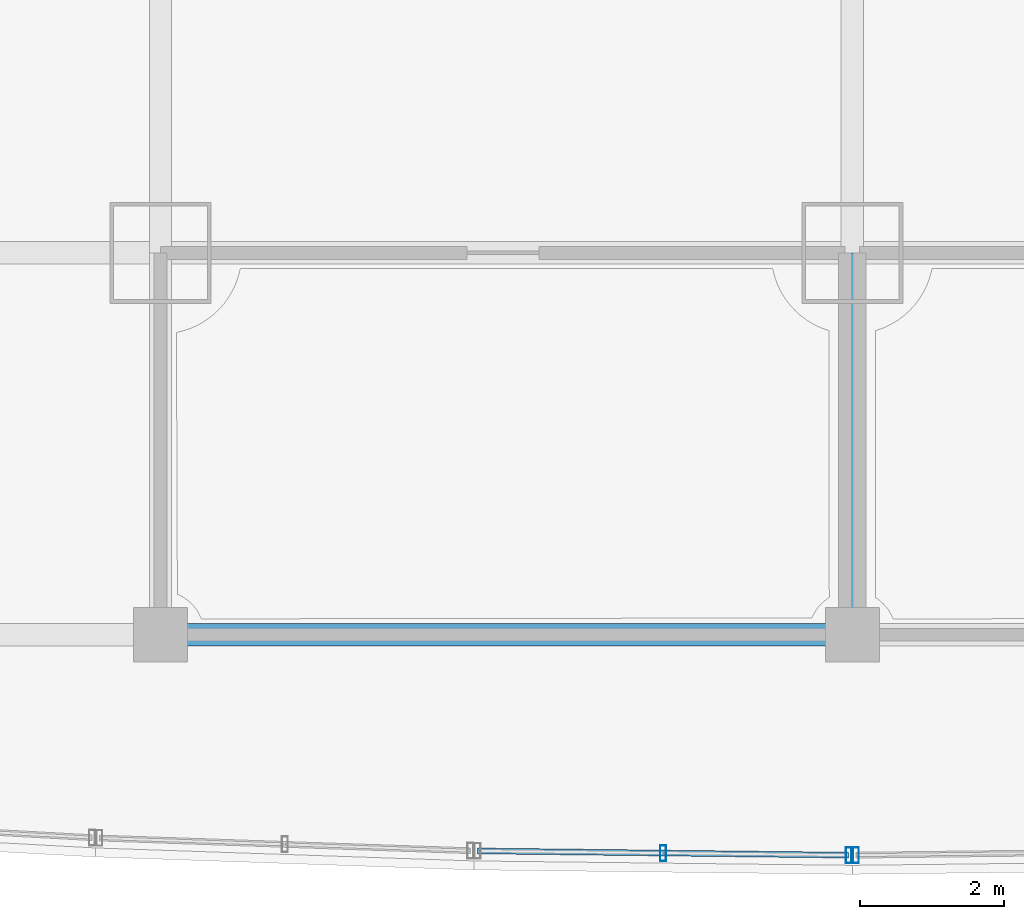
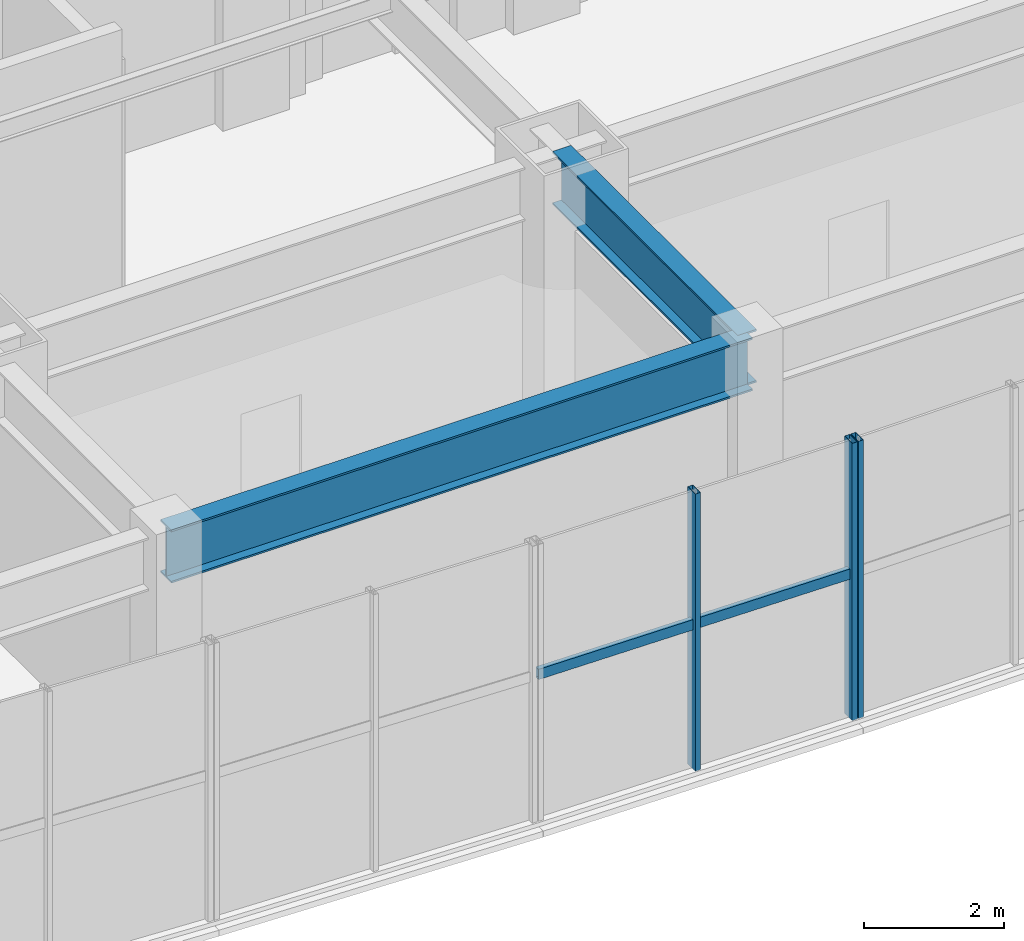
# One storey, part 5 of 24: 4 members, 2 beams, 2 elements without a shape of their own.
"""IFC4 building model written with IfcOpenShell, lengths in metres."""

import ifcopenshell
import ifcopenshell.guid

model = None  # the IFC model being written
_history = None  # IfcOwnerHistory: only IFC2X3 demands one
_inside = {}  # id of a spatial element -> (the spatial element, [elements in it])
_under = {}  # id of a project, library or spatial element -> (it, [spatial elements below it])
_declared = {}  # id of a project -> (the project, [libraries it declares])
_typed = {}  # id of a type object -> (the type object, [elements of that type])
_made_of = {}  # id of a material, layer set ... -> (it, [elements and type objects made of it])


def new_model(schema):
    """Start an empty IFC model of exactly this schema.

    Asked for "IFC4X3", IfcOpenShell would pick the latest addendum, in which some entities
    have other attributes; the version numbers below select the first issue.
    IFC2X3 requires an IfcOwnerHistory on every rooted entity: one is made here for all.
    """
    global model, _history
    if schema == "IFC4X3":
        model = ifcopenshell.file(schema_version=(4, 3, 0, 0))
    else:
        model = ifcopenshell.file(schema=schema)
    _inside.clear()
    _under.clear()
    _declared.clear()
    _typed.clear()
    _made_of.clear()
    _history = None
    if model.schema == "IFC2X3":
        org = make("IfcOrganization", Name="unknown")
        user = make(
            "IfcPersonAndOrganization",
            ThePerson=make("IfcPerson", FamilyName="unknown"),
            TheOrganization=org,
        )
        app = make(
            "IfcApplication",
            ApplicationDeveloper=org,
            Version="unknown",
            ApplicationFullName="unknown",
            ApplicationIdentifier="unknown",
        )
        _history = make(
            "IfcOwnerHistory",
            OwningUser=user,
            OwningApplication=app,
            ChangeAction="ADDED",
            CreationDate=0,
        )
    return model


def make(cls, **values):
    """One entity of the class cls with the attributes given. An attribute that is None is left unset."""
    return model.create_entity(
        cls, **{name: value for name, value in values.items() if value is not None}
    )


def rooted(cls, **values):
    """An entity with a GlobalId (a new one), such as an element, a storey or a relation."""
    return make(cls, GlobalId=ifcopenshell.guid.new(), OwnerHistory=_history, **values)


def si_unit(unit_type, name, prefix=None):
    """IfcSIUnit, for example si_unit("LENGTHUNIT", "METRE", prefix="MILLI")."""
    return make("IfcSIUnit", UnitType=unit_type, Prefix=prefix, Name=name)


def assignment(units):
    """IfcUnitAssignment: the units of a project."""
    return None if units is None else make("IfcUnitAssignment", Units=units)


def point(xyz):
    """IfcCartesianPoint."""
    return None if xyz is None else make("IfcCartesianPoint", Coordinates=xyz)


def direction(xyz):
    """IfcDirection."""
    return None if xyz is None else make("IfcDirection", DirectionRatios=xyz)


def frame(location, z_axis=None, x_axis=None):
    """IfcAxis2Placement3D, a coordinate frame: its origin and axes. An axis left out is left unset."""
    return make(
        "IfcAxis2Placement3D",
        Location=point(location),
        Axis=direction(z_axis),
        RefDirection=direction(x_axis),
    )


def frame_2d(location, x_axis=None):
    """IfcAxis2Placement2D, a coordinate frame in the plane: its origin and x axis."""
    return make(
        "IfcAxis2Placement2D", Location=point(location), RefDirection=direction(x_axis)
    )


def origin():
    """The frame at (0, 0, 0) with its axes left unset."""
    return frame((0.0, 0.0, 0.0))


def origin_2d():
    """The frame at (0, 0) in the plane with its x axis left unset."""
    return frame_2d((0.0, 0.0))


def place(relative_to, where):
    """IfcLocalPlacement: puts the frame where relative to a parent placement (None: the world)."""
    return make(
        "IfcLocalPlacement", PlacementRelTo=relative_to, RelativePlacement=where
    )


def context(
    kind, dimensions, precision=None, world=None, true_north=None, identifier=None
):
    """IfcGeometricRepresentationContext, for example the 3D "Model" context."""
    return make(
        "IfcGeometricRepresentationContext",
        ContextIdentifier=identifier,
        ContextType=kind,
        CoordinateSpaceDimension=dimensions,
        Precision=precision,
        WorldCoordinateSystem=world,
        TrueNorth=true_north,
    )


def subcontext(parent, identifier, kind, view, scale=None):
    """IfcGeometricRepresentationSubContext, for example "Body" below "Model"."""
    return make(
        "IfcGeometricRepresentationSubContext",
        ContextIdentifier=identifier,
        ContextType=kind,
        ParentContext=parent,
        TargetScale=scale,
        TargetView=view,
    )


def project(units=None, contexts=None):
    """IfcProject with its units and contexts."""
    return rooted(
        "IfcProject",
        Name="project",
        RepresentationContexts=contexts,
        UnitsInContext=assignment(units),
    )


def spatial(cls, under=None, at=None, **own):
    """A site, building, storey or space (cls), placed at a placement, below another one or the project."""
    s = rooted(cls, ObjectPlacement=at, **own)
    if under is not None:
        _under.setdefault(under.id(), (under, []))[1].append(s)
    return s


def profile(cls, at=None, kind="AREA", **sizes):
    """A parametric profile (cls). Its sizes go by their IFC names, for example OverallWidth=200.0."""
    return make(cls, ProfileType=kind, Position=at, **sizes)


def hollow_rectangle(**sizes):
    """IfcRectangleHollowProfileDef."""
    return profile("IfcRectangleHollowProfileDef", **sizes)


def i_section(**sizes):
    """IfcIShapeProfileDef."""
    return profile("IfcIShapeProfileDef", **sizes)


def extrude(swept, where, along, depth):
    """IfcExtrudedAreaSolid: the profile swept, set in the frame where, extruded along a direction by depth."""
    return make(
        "IfcExtrudedAreaSolid",
        SweptArea=swept,
        Position=where,
        ExtrudedDirection=direction(along),
        Depth=depth,
    )


def shape(context_of_items, identifier, shape_type, items):
    """IfcShapeRepresentation: the items that make up one representation, for example the "Body"."""
    return make(
        "IfcShapeRepresentation",
        ContextOfItems=context_of_items,
        RepresentationIdentifier=identifier,
        RepresentationType=shape_type,
        Items=items,
    )


def material(Name=None, Category=None):
    """IfcMaterial."""
    return make("IfcMaterial", Name=Name, Category=Category)


def layer(
    of_material, thickness, ventilated=None, Name=None, Category=None, Priority=None
):
    """IfcMaterialLayer: one layer of a wall or slab, of a material (None: an air gap)."""
    return make(
        "IfcMaterialLayer",
        Material=of_material,
        LayerThickness=thickness,
        IsVentilated=ventilated,
        Name=Name,
        Category=Category,
        Priority=Priority,
    )


def layer_set(layers, Name=None):
    """IfcMaterialLayerSet."""
    return make("IfcMaterialLayerSet", MaterialLayers=layers, LayerSetName=Name)


def material_profile(
    of_material, cross_section, Name=None, Category=None, Priority=None
):
    """IfcMaterialProfile: a cross section and its material."""
    return make(
        "IfcMaterialProfile",
        Name=Name,
        Material=of_material,
        Profile=cross_section,
        Priority=Priority,
        Category=Category,
    )


def profile_set(profiles, Name=None, composite=None):
    """IfcMaterialProfileSet."""
    return make(
        "IfcMaterialProfileSet",
        Name=Name,
        MaterialProfiles=profiles,
        CompositeProfile=composite,
    )


def made_of(thing, what):
    """Note that an element or type object is made of a material, layer set ...; save() writes the relation."""
    if what is not None:
        _made_of.setdefault(what.id(), (what, []))[1].append(thing)
    return thing


def type_object(cls, material=None, **own):
    """A type object (cls), such as IfcWallType, which elements share."""
    return made_of(rooted(cls, **own), material)


def element(
    cls,
    number,
    at=None,
    inside=None,
    cuts=None,
    type_object=None,
    material=None,
    context=None,
    identifier="Body",
    shape_type=None,
    held_by="IfcProductDefinitionShape",
    body=None,
    shapes=None,
    **own,
):
    """One element of the class cls, such as IfcWall. Its Tag is "e" and its number.

    at: its placement. inside: the storey or other place that contains it. cuts: it is an
    opening in that element (IfcRelVoidsElement). A single representation is given by context,
    identifier, shape_type and body (its items); several are given by shapes. held_by: the class
    of the entity that holds the representations. save() writes the other relations.
    """
    e = rooted(cls, Tag="e%d" % number, ObjectPlacement=at, **own)
    if body is not None:
        shapes = [shape(context, identifier, shape_type, body)]
    if shapes is not None:
        e.Representation = make(held_by, Representations=shapes)
    if inside is not None:
        _inside.setdefault(inside.id(), (inside, []))[1].append(e)
    if cuts is not None:
        rooted(
            "IfcRelVoidsElement", RelatingBuildingElement=cuts, RelatedOpeningElement=e
        )
    if type_object is not None:
        _typed.setdefault(type_object.id(), (type_object, []))[1].append(e)
    return made_of(e, material)


def aggregate(whole, parts):
    """IfcRelAggregates: a whole, such as a stair, and the parts it consists of."""
    return rooted("IfcRelAggregates", RelatingObject=whole, RelatedObjects=parts)


def save(model, path):
    """Write the relations noted so far, then the file.

    IfcRelAggregates (storeys below a building ...), IfcRelContainedInSpatialStructure (elements
    in a storey), IfcRelDefinesByType, IfcRelAssociatesMaterial and IfcRelDeclares: one each for
    every whole, place, type object, material and project.
    """
    for whole, parts in _under.values():
        aggregate(whole, parts)
    for where, things in _inside.values():
        rooted(
            "IfcRelContainedInSpatialStructure",
            RelatedElements=things,
            RelatingStructure=where,
        )
    for kind, things in _typed.values():
        rooted("IfcRelDefinesByType", RelatedObjects=things, RelatingType=kind)
    for what, things in _made_of.values():
        rooted("IfcRelAssociatesMaterial", RelatedObjects=things, RelatingMaterial=what)
    for by, libraries in _declared.values():
        rooted("IfcRelDeclares", RelatingContext=by, RelatedDefinitions=libraries)
    model.write(path)


model = new_model("IFC4")

# Units and contexts
model_context = context("Model", 3, precision=1e-05, world=origin(), true_north=direction((0.0, 1.0)))
body_context = subcontext(model_context, "Body", "Model", "MODEL_VIEW")
ifc_project = project(units=[si_unit("LENGTHUNIT", "METRE"), si_unit("AREAUNIT", "SQUARE_METRE"), si_unit("VOLUMEUNIT", "CUBIC_METRE"), si_unit("PLANEANGLEUNIT", "RADIAN"), si_unit("MASSUNIT", "GRAM", prefix="KILO")], contexts=[model_context])

# Site, building, storey
site_placement = place(None, origin())
site = spatial("IfcSite", under=ifc_project, at=site_placement, CompositionType="ELEMENT")
building_placement = place(site_placement, origin())
building = spatial("IfcBuilding", under=site, at=building_placement, Name="Vantalir Tower", CompositionType="ELEMENT")
storey_placement = place(building_placement, frame((0.0, 0.0, 11.0)))
storey = spatial("IfcBuildingStorey", under=building, at=storey_placement, Name="L02", CompositionType="ELEMENT", Elevation=11.0)

# Beams
ifc_material_1 = material(Name="Steel S355", Category="steel")
ifc_material_profile_1 = material_profile(ifc_material_1, i_section(OverallWidth=0.30810546875, OverallDepth=0.927001953125, WebThickness=0.01953125, FlangeThickness=0.031982421875, at=origin_2d()), Name="Steel S355")
ifc_profile_set_1 = profile_set([ifc_material_profile_1], Name="Steel S355")
beam_type = type_object("IfcBeamType", Name="BM-PG-914x305", PredefinedType="USERDEFINED", material=ifc_profile_set_1)
beam_1_placement = place(storey_placement, frame((21.89990234375, 3.199951171875, 4.35595703125), z_axis=(1.0, 0.0, 0.0), x_axis=(0.0, 1.0, 0.0)))
element("IfcBeam", 1, at=beam_1_placement, inside=storey, type_object=beam_type, Name="Level 02 Podium E-W Girder 03", ObjectType="GIRDER", PredefinedType="USERDEFINED", context=body_context, shape_type="SweptSolid", body=[
    extrude(i_section(OverallWidth=0.30810546875, OverallDepth=0.927001953125, WebThickness=0.01953125, FlangeThickness=0.031982421875, at=origin_2d()), origin(), (0.0, 0.0, 1.0), 9.60009765625),
])
beam_2_placement = place(storey_placement, frame((31.5, 3.199951171875, 4.35595703125), z_axis=(0.0, 1.0, 0.0), x_axis=(-1.0, 0.0, 0.0)))
element("IfcBeam", 2, at=beam_2_placement, inside=storey, type_object=beam_type, Name="Level 02 Podium N-S Girder 63", ObjectType="GIRDER", PredefinedType="USERDEFINED", context=body_context, shape_type="SweptSolid", body=[
    extrude(i_section(OverallWidth=0.30810546875, OverallDepth=0.927001953125, WebThickness=0.01953125, FlangeThickness=0.031982421875, at=origin_2d()), origin(), (0.0, 0.0, 1.0), 5.300048828125),
])

# Curtain wall, members
ifc_material_2 = material(Name="Champagne-silver PVDF aluminium and double-silver Low-E glass", Category="aluminium")
ifc_layer = layer(ifc_material_2, 0.239990234375)
ifc_layer_set = layer_set([ifc_layer], Name="Champagne-silver PVDF aluminium and double-silver Low-E glass")
curtain_wall_type = type_object("IfcCurtainWallType", Name="CW-PODIUM-WF", PredefinedType="USERDEFINED", material=ifc_layer_set)
curtain_wall_1_placement = place(storey_placement, origin())
curtain_wall_1 = element("IfcCurtainWall", 3, at=curtain_wall_1_placement, inside=storey, type_object=curtain_wall_type, Name="Level 02 Waterfront Stick Curtain Wall 06", ObjectType="STICK CURTAIN WALL", PredefinedType="USERDEFINED")
ifc_material_3 = material(Name="Champagne-silver PVDF aluminium 6063-T6", Category="aluminium")
ifc_material_profile_2 = material_profile(ifc_material_3, hollow_rectangle(XDim=0.0849609375, YDim=0.219970703125, WallThickness=0.0048828125, at=origin_2d()), Name="Champagne-silver PVDF aluminium 6063-T6")
ifc_profile_set_2 = profile_set([ifc_material_profile_2], Name="Champagne-silver PVDF aluminium 6063-T6")
member_type_1 = type_object("IfcMemberType", Name="CWM-220x85", PredefinedType="MULLION", material=ifc_profile_set_2)
member_1_placement = place(storey_placement, frame((28.875, 0.169921875, -0.011962890625), z_axis=(0.0, 0.0, 1.0), x_axis=(1.0, 0.0, 0.0)))
member_1 = element("IfcMember", 4, at=member_1_placement, type_object=member_type_1, Name="CW-L02-WF-06 Mullion 2", PredefinedType="MULLION", context=body_context, shape_type="SweptSolid", body=[
    extrude(hollow_rectangle(XDim=0.0849609375, YDim=0.219970703125, WallThickness=0.0048828125, at=origin_2d()), origin(), (0.0, 0.0, 1.0), 4.843994140625),
])
member_2_placement = place(storey_placement, frame((31.449951171875, 0.14111328125, -0.011962890625), z_axis=(0.0, 0.0, 1.0), x_axis=(1.0, 0.0, 0.0)))
member_2 = element("IfcMember", 5, at=member_2_placement, type_object=member_type_1, Name="CW-L02-WF-06 Mullion 3", PredefinedType="MULLION", context=body_context, shape_type="SweptSolid", body=[
    extrude(hollow_rectangle(XDim=0.0849609375, YDim=0.219970703125, WallThickness=0.0048828125, at=origin_2d()), origin(), (0.0, 0.0, 1.0), 4.843994140625),
])

# Curtain wall, member
curtain_wall_2_placement = place(storey_placement, origin())
curtain_wall_2 = element("IfcCurtainWall", 6, at=curtain_wall_2_placement, inside=storey, type_object=curtain_wall_type, Name="Level 02 Waterfront Stick Curtain Wall 07", ObjectType="STICK CURTAIN WALL", PredefinedType="USERDEFINED")
member_3_placement = place(storey_placement, frame((31.550048828125, 0.14111328125, -0.011962890625), z_axis=(0.0, 0.0, 1.0), x_axis=(1.0, 0.0, 0.0)))
member_3 = element("IfcMember", 7, at=member_3_placement, type_object=member_type_1, Name="CW-L02-WF-07 Mullion 1", PredefinedType="MULLION", context=body_context, shape_type="SweptSolid", body=[
    extrude(hollow_rectangle(XDim=0.0849609375, YDim=0.219970703125, WallThickness=0.0048828125, at=origin_2d()), origin(), (0.0, 0.0, 1.0), 4.843994140625),
])
aggregate(curtain_wall_2, [member_3])

# Member
ifc_material_profile_3 = material_profile(ifc_material_3, hollow_rectangle(XDim=0.080078125, YDim=0.179931640625, WallThickness=0.0048828125, at=origin_2d()), Name="Champagne-silver PVDF aluminium 6063-T6")
ifc_profile_set_3 = profile_set([ifc_material_profile_3], Name="Champagne-silver PVDF aluminium 6063-T6")
member_type_2 = type_object("IfcMemberType", Name="CWT-180x80", PredefinedType="USERDEFINED", material=ifc_profile_set_3)
member_4_placement = place(storey_placement, frame((26.300048828125, 0.199951171875, 2.506103515625), z_axis=(0.999934740508, -0.011424304184, 0.0), x_axis=(0.011424304184, 0.999934740508, 0.0)))
member_4 = element("IfcMember", 8, at=member_4_placement, type_object=member_type_2, Name="CW-L02-WF-06 Transom 1", ObjectType="TRANSOM", PredefinedType="USERDEFINED", context=body_context, shape_type="SweptSolid", body=[
    extrude(hollow_rectangle(XDim=0.080078125, YDim=0.179931640625, WallThickness=0.0048828125, at=origin_2d()), origin(), (0.0, 0.0, 1.0), 5.150146484375),
])

aggregate(curtain_wall_1, [member_1, member_2, member_4])

save(model, "model.ifc")
